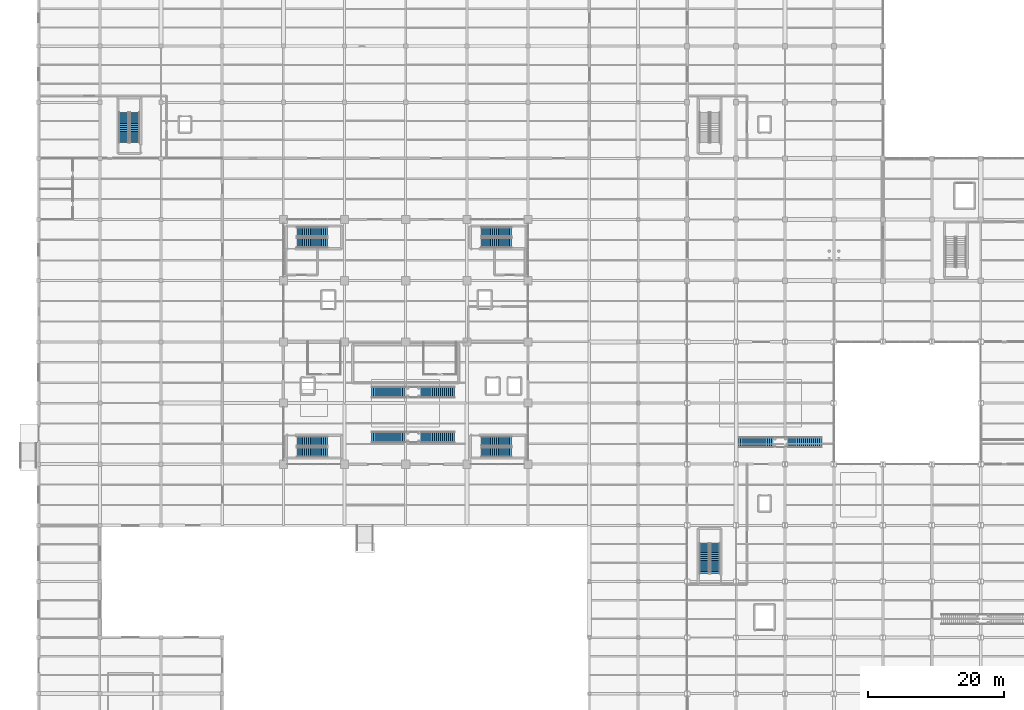
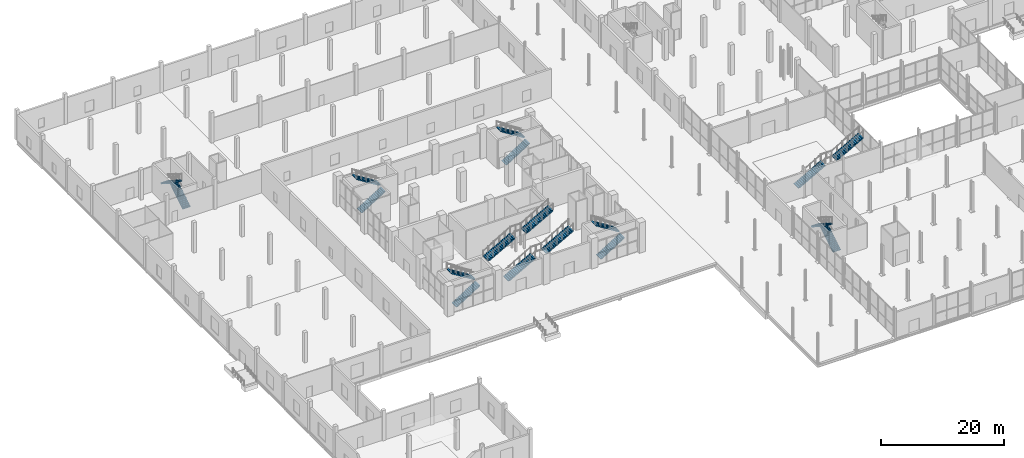
# One storey, part 133 of 144: 18 stair flights, 9 elements without a shape of their own.
"""IFC4 building model written with IfcOpenShell, lengths in metres."""

from ifc_helpers import new_model, si_unit, direction, frame, origin, place, context, subcontext, project, spatial, polyline, outline, extrude, material, type_object, element, aggregate, save


model = new_model("IFC4")

# Units and contexts
model_context = context("Model", 3, precision=1e-05, world=origin(), true_north=direction((0.0, 1.0)))
body_context = subcontext(model_context, "Body", "Model", "MODEL_VIEW")
ifc_project = project(units=[si_unit("LENGTHUNIT", "METRE"), si_unit("AREAUNIT", "SQUARE_METRE"), si_unit("VOLUMEUNIT", "CUBIC_METRE"), si_unit("PLANEANGLEUNIT", "RADIAN"), si_unit("MASSUNIT", "GRAM", prefix="KILO")], contexts=[model_context])

# Site, building, storey
site_placement = place(None, origin())
site = spatial("IfcSite", under=ifc_project, at=site_placement, CompositionType="ELEMENT")
building_placement = place(site_placement, origin())
building = spatial("IfcBuilding", under=site, at=building_placement, Name="Sundgate Opera House", CompositionType="ELEMENT")
storey_placement = place(building_placement, origin())
storey = spatial("IfcBuildingStorey", under=building, at=storey_placement, Name="L00", CompositionType="ELEMENT", Elevation=0.0)

# Stair, stair flights
ifc_material_1 = material(Name="Concrete C35/45", Category="concrete")
stair_type_1 = type_object("IfcStairType", Name="ST-HT-34R-1450", PredefinedType="HALF_TURN_STAIR", material=ifc_material_1)
stair_1_placement = place(storey_placement, origin())
stair_1 = element("IfcStair", 1, at=stair_1_placement, inside=storey, type_object=stair_type_1, Name="L00 Escape Stair ST-01", PredefinedType="HALF_TURN_STAIR")
ifc_material_2 = material(Name="Concrete C35/45", Category="concrete")
stair_flight_type_1 = type_object("IfcStairFlightType", Name="SF-STR-17R-1450", PredefinedType="STRAIGHT", material=ifc_material_2)
stair_flight_1_placement = place(storey_placement, frame((38.0, 43.77490234375, 0.0), z_axis=(0.0, 0.0, 1.0), x_axis=(1.0, 0.0, 0.0)))
stair_flight_1 = element("IfcStairFlight", 2, at=stair_flight_1_placement, type_object=stair_flight_type_1, Name="ST01L00 Flight 1", NumberOfRisers=17, NumberOfTreads=16, PredefinedType="STRAIGHT", RiserHeight=0.176470588, TreadLength=0.28, context=body_context, shape_type="SweptSolid", body=[
    extrude(outline(polyline([(0.0, 0.0), (0.0, 0.176513671875), (0.280029296875, 0.176513671875), (0.280029296875, 0.35302734375), (0.56005859375, 0.35302734375), (0.56005859375, 0.529296875), (0.840087890625, 0.529296875), (0.840087890625, 0.705810546875), (1.1201171875, 0.705810546875), (1.1201171875, 0.88232421875), (1.39990234375, 0.88232421875), (1.39990234375, 1.058837890625), (1.679931640625, 1.058837890625), (1.679931640625, 1.2353515625), (1.9599609375, 1.2353515625), (1.9599609375, 1.411865234375), (2.239990234375, 1.411865234375), (2.239990234375, 1.588134765625), (2.52001953125, 1.588134765625), (2.52001953125, 1.7646484375), (2.800048828125, 1.7646484375), (2.800048828125, 1.941162109375), (3.080078125, 1.941162109375), (3.080078125, 2.11767578125), (3.360107421875, 2.11767578125), (3.360107421875, 2.294189453125), (3.639892578125, 2.294189453125), (3.639892578125, 2.470703125), (3.919921875, 2.470703125), (3.919921875, 2.64697265625), (4.199951171875, 2.64697265625), (4.199951171875, 2.823486328125), (4.47998046875, 2.823486328125), (4.47998046875, 3.0), (4.47998046875, 2.646240234375), (0.28125, 0.0), (0.0, 0.0)])), frame((0.0, 0.72509765625, 0.0), z_axis=(0.0, -1.0, 0.0), x_axis=(1.0, 0.0, 0.0)), (0.0, 0.0, 1.0), 1.449951171875),
])
stair_flight_2_placement = place(storey_placement, frame((42.47998046875, 45.375, 3.0), z_axis=(0.0, 0.0, 1.0), x_axis=(-1.0, 0.0, 0.0)))
stair_flight_2 = element("IfcStairFlight", 3, at=stair_flight_2_placement, type_object=stair_flight_type_1, Name="ST01L00 Flight 2", NumberOfRisers=17, NumberOfTreads=16, PredefinedType="STRAIGHT", RiserHeight=0.176470588, TreadLength=0.28, context=body_context, shape_type="SweptSolid", body=[
    extrude(outline(polyline([(0.0, 0.0), (0.0, 0.176513671875), (0.280029296875, 0.176513671875), (0.280029296875, 0.35302734375), (0.56005859375, 0.35302734375), (0.56005859375, 0.529296875), (0.840087890625, 0.529296875), (0.840087890625, 0.705810546875), (1.1201171875, 0.705810546875), (1.1201171875, 0.88232421875), (1.39990234375, 0.88232421875), (1.39990234375, 1.058837890625), (1.679931640625, 1.058837890625), (1.679931640625, 1.2353515625), (1.9599609375, 1.2353515625), (1.9599609375, 1.411865234375), (2.239990234375, 1.411865234375), (2.239990234375, 1.588134765625), (2.52001953125, 1.588134765625), (2.52001953125, 1.7646484375), (2.800048828125, 1.7646484375), (2.800048828125, 1.941162109375), (3.080078125, 1.941162109375), (3.080078125, 2.11767578125), (3.360107421875, 2.11767578125), (3.360107421875, 2.294189453125), (3.639892578125, 2.294189453125), (3.639892578125, 2.470703125), (3.919921875, 2.470703125), (3.919921875, 2.64697265625), (4.199951171875, 2.64697265625), (4.199951171875, 2.823486328125), (4.47998046875, 2.823486328125), (4.47998046875, 3.0), (4.47998046875, 2.646240234375), (0.28125, 0.0), (0.0, 0.0)])), frame((0.0, 0.72509765625, 0.0), z_axis=(0.0, -1.0, 0.0), x_axis=(1.0, 0.0, 0.0)), (0.0, 0.0, 1.0), 1.449951171875),
])
aggregate(stair_1, [stair_flight_1, stair_flight_2])

stair_2_placement = place(storey_placement, origin())
stair_2 = element("IfcStair", 4, at=stair_2_placement, inside=storey, type_object=stair_type_1, Name="L00 Escape Stair ST-02", PredefinedType="HALF_TURN_STAIR")
stair_flight_3_placement = place(storey_placement, frame((38.0, 74.574951171875, 0.0), z_axis=(0.0, 0.0, 1.0), x_axis=(1.0, 0.0, 0.0)))
stair_flight_3 = element("IfcStairFlight", 5, at=stair_flight_3_placement, type_object=stair_flight_type_1, Name="ST02L00 Flight 1", NumberOfRisers=17, NumberOfTreads=16, PredefinedType="STRAIGHT", RiserHeight=0.176470588, TreadLength=0.28, context=body_context, shape_type="SweptSolid", body=[
    extrude(outline(polyline([(0.0, 0.0), (0.0, 0.176513671875), (0.280029296875, 0.176513671875), (0.280029296875, 0.35302734375), (0.56005859375, 0.35302734375), (0.56005859375, 0.529296875), (0.840087890625, 0.529296875), (0.840087890625, 0.705810546875), (1.1201171875, 0.705810546875), (1.1201171875, 0.88232421875), (1.39990234375, 0.88232421875), (1.39990234375, 1.058837890625), (1.679931640625, 1.058837890625), (1.679931640625, 1.2353515625), (1.9599609375, 1.2353515625), (1.9599609375, 1.411865234375), (2.239990234375, 1.411865234375), (2.239990234375, 1.588134765625), (2.52001953125, 1.588134765625), (2.52001953125, 1.7646484375), (2.800048828125, 1.7646484375), (2.800048828125, 1.941162109375), (3.080078125, 1.941162109375), (3.080078125, 2.11767578125), (3.360107421875, 2.11767578125), (3.360107421875, 2.294189453125), (3.639892578125, 2.294189453125), (3.639892578125, 2.470703125), (3.919921875, 2.470703125), (3.919921875, 2.64697265625), (4.199951171875, 2.64697265625), (4.199951171875, 2.823486328125), (4.47998046875, 2.823486328125), (4.47998046875, 3.0), (4.47998046875, 2.646240234375), (0.28125, 0.0), (0.0, 0.0)])), frame((0.0, 0.72509765625, 0.0), z_axis=(0.0, -1.0, 0.0), x_axis=(1.0, 0.0, 0.0)), (0.0, 0.0, 1.0), 1.449951171875),
])
stair_flight_4_placement = place(storey_placement, frame((42.47998046875, 76.175048828125, 3.0), z_axis=(0.0, 0.0, 1.0), x_axis=(-1.0, 0.0, 0.0)))
stair_flight_4 = element("IfcStairFlight", 6, at=stair_flight_4_placement, type_object=stair_flight_type_1, Name="ST02L00 Flight 2", NumberOfRisers=17, NumberOfTreads=16, PredefinedType="STRAIGHT", RiserHeight=0.176470588, TreadLength=0.28, context=body_context, shape_type="SweptSolid", body=[
    extrude(outline(polyline([(0.0, 0.0), (0.0, 0.176513671875), (0.280029296875, 0.176513671875), (0.280029296875, 0.35302734375), (0.56005859375, 0.35302734375), (0.56005859375, 0.529296875), (0.840087890625, 0.529296875), (0.840087890625, 0.705810546875), (1.1201171875, 0.705810546875), (1.1201171875, 0.88232421875), (1.39990234375, 0.88232421875), (1.39990234375, 1.058837890625), (1.679931640625, 1.058837890625), (1.679931640625, 1.2353515625), (1.9599609375, 1.2353515625), (1.9599609375, 1.411865234375), (2.239990234375, 1.411865234375), (2.239990234375, 1.588134765625), (2.52001953125, 1.588134765625), (2.52001953125, 1.7646484375), (2.800048828125, 1.7646484375), (2.800048828125, 1.941162109375), (3.080078125, 1.941162109375), (3.080078125, 2.11767578125), (3.360107421875, 2.11767578125), (3.360107421875, 2.294189453125), (3.639892578125, 2.294189453125), (3.639892578125, 2.470703125), (3.919921875, 2.470703125), (3.919921875, 2.64697265625), (4.199951171875, 2.64697265625), (4.199951171875, 2.823486328125), (4.47998046875, 2.823486328125), (4.47998046875, 3.0), (4.47998046875, 2.646240234375), (0.28125, 0.0), (0.0, 0.0)])), frame((0.0, 0.72509765625, 0.0), z_axis=(0.0, -1.0, 0.0), x_axis=(1.0, 0.0, 0.0)), (0.0, 0.0, 1.0), 1.449951171875),
])
aggregate(stair_2, [stair_flight_3, stair_flight_4])

stair_3_placement = place(storey_placement, origin())
stair_3 = element("IfcStair", 7, at=stair_3_placement, inside=storey, type_object=stair_type_1, Name="L00 Escape Stair ST-03", PredefinedType="HALF_TURN_STAIR")
stair_flight_5_placement = place(storey_placement, frame((65.10009765625, 43.77490234375, 0.0), z_axis=(0.0, 0.0, 1.0), x_axis=(1.0, 0.0, 0.0)))
stair_flight_5 = element("IfcStairFlight", 8, at=stair_flight_5_placement, type_object=stair_flight_type_1, Name="ST03L00 Flight 1", NumberOfRisers=17, NumberOfTreads=16, PredefinedType="STRAIGHT", RiserHeight=0.176470588, TreadLength=0.28, context=body_context, shape_type="SweptSolid", body=[
    extrude(outline(polyline([(0.0, 0.0), (0.0, 0.176513671875), (0.280029296875, 0.176513671875), (0.280029296875, 0.35302734375), (0.56005859375, 0.35302734375), (0.56005859375, 0.529296875), (0.840087890625, 0.529296875), (0.840087890625, 0.705810546875), (1.1201171875, 0.705810546875), (1.1201171875, 0.88232421875), (1.39990234375, 0.88232421875), (1.39990234375, 1.058837890625), (1.679931640625, 1.058837890625), (1.679931640625, 1.2353515625), (1.9599609375, 1.2353515625), (1.9599609375, 1.411865234375), (2.239990234375, 1.411865234375), (2.239990234375, 1.588134765625), (2.52001953125, 1.588134765625), (2.52001953125, 1.7646484375), (2.800048828125, 1.7646484375), (2.800048828125, 1.941162109375), (3.080078125, 1.941162109375), (3.080078125, 2.11767578125), (3.360107421875, 2.11767578125), (3.360107421875, 2.294189453125), (3.639892578125, 2.294189453125), (3.639892578125, 2.470703125), (3.919921875, 2.470703125), (3.919921875, 2.64697265625), (4.199951171875, 2.64697265625), (4.199951171875, 2.823486328125), (4.47998046875, 2.823486328125), (4.47998046875, 3.0), (4.47998046875, 2.646240234375), (0.28125, 0.0), (0.0, 0.0)])), frame((0.0, 0.72509765625, 0.0), z_axis=(0.0, -1.0, 0.0), x_axis=(1.0, 0.0, 0.0)), (0.0, 0.0, 1.0), 1.449951171875),
])
stair_flight_6_placement = place(storey_placement, frame((69.580078125, 45.375, 3.0), z_axis=(0.0, 0.0, 1.0), x_axis=(-1.0, 0.0, 0.0)))
stair_flight_6 = element("IfcStairFlight", 9, at=stair_flight_6_placement, type_object=stair_flight_type_1, Name="ST03L00 Flight 2", NumberOfRisers=17, NumberOfTreads=16, PredefinedType="STRAIGHT", RiserHeight=0.176470588, TreadLength=0.28, context=body_context, shape_type="SweptSolid", body=[
    extrude(outline(polyline([(0.0, 0.0), (0.0, 0.176513671875), (0.280029296875, 0.176513671875), (0.280029296875, 0.35302734375), (0.56005859375, 0.35302734375), (0.56005859375, 0.529296875), (0.840087890625, 0.529296875), (0.840087890625, 0.705810546875), (1.1201171875, 0.705810546875), (1.1201171875, 0.88232421875), (1.39990234375, 0.88232421875), (1.39990234375, 1.058837890625), (1.679931640625, 1.058837890625), (1.679931640625, 1.2353515625), (1.9599609375, 1.2353515625), (1.9599609375, 1.411865234375), (2.239990234375, 1.411865234375), (2.239990234375, 1.588134765625), (2.52001953125, 1.588134765625), (2.52001953125, 1.7646484375), (2.800048828125, 1.7646484375), (2.800048828125, 1.941162109375), (3.080078125, 1.941162109375), (3.080078125, 2.11767578125), (3.360107421875, 2.11767578125), (3.360107421875, 2.294189453125), (3.639892578125, 2.294189453125), (3.639892578125, 2.470703125), (3.919921875, 2.470703125), (3.919921875, 2.64697265625), (4.199951171875, 2.64697265625), (4.199951171875, 2.823486328125), (4.47998046875, 2.823486328125), (4.47998046875, 3.0), (4.47998046875, 2.646240234375), (0.28125, 0.0), (0.0, 0.0)])), frame((0.0, 0.72509765625, 0.0), z_axis=(0.0, -1.0, 0.0), x_axis=(1.0, 0.0, 0.0)), (0.0, 0.0, 1.0), 1.449951171875),
])
aggregate(stair_3, [stair_flight_5, stair_flight_6])

stair_4_placement = place(storey_placement, origin())
stair_4 = element("IfcStair", 10, at=stair_4_placement, inside=storey, type_object=stair_type_1, Name="L00 Escape Stair ST-04", PredefinedType="HALF_TURN_STAIR")
stair_flight_7_placement = place(storey_placement, frame((65.10009765625, 74.574951171875, 0.0), z_axis=(0.0, 0.0, 1.0), x_axis=(1.0, 0.0, 0.0)))
stair_flight_7 = element("IfcStairFlight", 11, at=stair_flight_7_placement, type_object=stair_flight_type_1, Name="ST04L00 Flight 1", NumberOfRisers=17, NumberOfTreads=16, PredefinedType="STRAIGHT", RiserHeight=0.176470588, TreadLength=0.28, context=body_context, shape_type="SweptSolid", body=[
    extrude(outline(polyline([(0.0, 0.0), (0.0, 0.176513671875), (0.280029296875, 0.176513671875), (0.280029296875, 0.35302734375), (0.56005859375, 0.35302734375), (0.56005859375, 0.529296875), (0.840087890625, 0.529296875), (0.840087890625, 0.705810546875), (1.1201171875, 0.705810546875), (1.1201171875, 0.88232421875), (1.39990234375, 0.88232421875), (1.39990234375, 1.058837890625), (1.679931640625, 1.058837890625), (1.679931640625, 1.2353515625), (1.9599609375, 1.2353515625), (1.9599609375, 1.411865234375), (2.239990234375, 1.411865234375), (2.239990234375, 1.588134765625), (2.52001953125, 1.588134765625), (2.52001953125, 1.7646484375), (2.800048828125, 1.7646484375), (2.800048828125, 1.941162109375), (3.080078125, 1.941162109375), (3.080078125, 2.11767578125), (3.360107421875, 2.11767578125), (3.360107421875, 2.294189453125), (3.639892578125, 2.294189453125), (3.639892578125, 2.470703125), (3.919921875, 2.470703125), (3.919921875, 2.64697265625), (4.199951171875, 2.64697265625), (4.199951171875, 2.823486328125), (4.47998046875, 2.823486328125), (4.47998046875, 3.0), (4.47998046875, 2.646240234375), (0.28125, 0.0), (0.0, 0.0)])), frame((0.0, 0.72509765625, 0.0), z_axis=(0.0, -1.0, 0.0), x_axis=(1.0, 0.0, 0.0)), (0.0, 0.0, 1.0), 1.449951171875),
])
stair_flight_8_placement = place(storey_placement, frame((69.580078125, 76.175048828125, 3.0), z_axis=(0.0, 0.0, 1.0), x_axis=(-1.0, 0.0, 0.0)))
stair_flight_8 = element("IfcStairFlight", 12, at=stair_flight_8_placement, type_object=stair_flight_type_1, Name="ST04L00 Flight 2", NumberOfRisers=17, NumberOfTreads=16, PredefinedType="STRAIGHT", RiserHeight=0.176470588, TreadLength=0.28, context=body_context, shape_type="SweptSolid", body=[
    extrude(outline(polyline([(0.0, 0.0), (0.0, 0.176513671875), (0.280029296875, 0.176513671875), (0.280029296875, 0.35302734375), (0.56005859375, 0.35302734375), (0.56005859375, 0.529296875), (0.840087890625, 0.529296875), (0.840087890625, 0.705810546875), (1.1201171875, 0.705810546875), (1.1201171875, 0.88232421875), (1.39990234375, 0.88232421875), (1.39990234375, 1.058837890625), (1.679931640625, 1.058837890625), (1.679931640625, 1.2353515625), (1.9599609375, 1.2353515625), (1.9599609375, 1.411865234375), (2.239990234375, 1.411865234375), (2.239990234375, 1.588134765625), (2.52001953125, 1.588134765625), (2.52001953125, 1.7646484375), (2.800048828125, 1.7646484375), (2.800048828125, 1.941162109375), (3.080078125, 1.941162109375), (3.080078125, 2.11767578125), (3.360107421875, 2.11767578125), (3.360107421875, 2.294189453125), (3.639892578125, 2.294189453125), (3.639892578125, 2.470703125), (3.919921875, 2.470703125), (3.919921875, 2.64697265625), (4.199951171875, 2.64697265625), (4.199951171875, 2.823486328125), (4.47998046875, 2.823486328125), (4.47998046875, 3.0), (4.47998046875, 2.646240234375), (0.28125, 0.0), (0.0, 0.0)])), frame((0.0, 0.72509765625, 0.0), z_axis=(0.0, -1.0, 0.0), x_axis=(1.0, 0.0, 0.0)), (0.0, 0.0, 1.0), 1.449951171875),
])
aggregate(stair_4, [stair_flight_7, stair_flight_8])

stair_5_placement = place(storey_placement, origin())
stair_5 = element("IfcStair", 13, at=stair_5_placement, inside=storey, type_object=stair_type_1, Name="L00 Escape Stair ST-07", PredefinedType="HALF_TURN_STAIR")
stair_flight_9_placement = place(storey_placement, frame((99.52490234375, 25.89990234375, 0.0), z_axis=(0.0, 0.0, 1.0), x_axis=(0.0, 1.0, 0.0)))
stair_flight_9 = element("IfcStairFlight", 14, at=stair_flight_9_placement, type_object=stair_flight_type_1, Name="ST07L00 Flight 1", NumberOfRisers=17, NumberOfTreads=16, PredefinedType="STRAIGHT", RiserHeight=0.176470588, TreadLength=0.28, context=body_context, shape_type="SweptSolid", body=[
    extrude(outline(polyline([(0.0, 0.0), (0.0, 0.176513671875), (0.280029296875, 0.176513671875), (0.280029296875, 0.35302734375), (0.56005859375, 0.35302734375), (0.56005859375, 0.529296875), (0.840087890625, 0.529296875), (0.840087890625, 0.705810546875), (1.1201171875, 0.705810546875), (1.1201171875, 0.88232421875), (1.39990234375, 0.88232421875), (1.39990234375, 1.058837890625), (1.679931640625, 1.058837890625), (1.679931640625, 1.2353515625), (1.9599609375, 1.2353515625), (1.9599609375, 1.411865234375), (2.239990234375, 1.411865234375), (2.239990234375, 1.588134765625), (2.52001953125, 1.588134765625), (2.52001953125, 1.7646484375), (2.800048828125, 1.7646484375), (2.800048828125, 1.941162109375), (3.080078125, 1.941162109375), (3.080078125, 2.11767578125), (3.360107421875, 2.11767578125), (3.360107421875, 2.294189453125), (3.639892578125, 2.294189453125), (3.639892578125, 2.470703125), (3.919921875, 2.470703125), (3.919921875, 2.64697265625), (4.199951171875, 2.64697265625), (4.199951171875, 2.823486328125), (4.47998046875, 2.823486328125), (4.47998046875, 3.0), (4.47998046875, 2.646240234375), (0.28125, 0.0), (0.0, 0.0)])), frame((0.0, 0.72509765625, 0.0), z_axis=(0.0, -1.0, 0.0), x_axis=(1.0, 0.0, 0.0)), (0.0, 0.0, 1.0), 1.449951171875),
])
stair_flight_10_placement = place(storey_placement, frame((97.925048828125, 30.3798828125, 3.0), z_axis=(0.0, 0.0, 1.0), x_axis=(0.0, -1.0, 0.0)))
stair_flight_10 = element("IfcStairFlight", 15, at=stair_flight_10_placement, type_object=stair_flight_type_1, Name="ST07L00 Flight 2", NumberOfRisers=17, NumberOfTreads=16, PredefinedType="STRAIGHT", RiserHeight=0.176470588, TreadLength=0.28, context=body_context, shape_type="SweptSolid", body=[
    extrude(outline(polyline([(0.0, 0.0), (0.0, 0.176513671875), (0.280029296875, 0.176513671875), (0.280029296875, 0.35302734375), (0.56005859375, 0.35302734375), (0.56005859375, 0.529296875), (0.840087890625, 0.529296875), (0.840087890625, 0.705810546875), (1.1201171875, 0.705810546875), (1.1201171875, 0.88232421875), (1.39990234375, 0.88232421875), (1.39990234375, 1.058837890625), (1.679931640625, 1.058837890625), (1.679931640625, 1.2353515625), (1.9599609375, 1.2353515625), (1.9599609375, 1.411865234375), (2.239990234375, 1.411865234375), (2.239990234375, 1.588134765625), (2.52001953125, 1.588134765625), (2.52001953125, 1.7646484375), (2.800048828125, 1.7646484375), (2.800048828125, 1.941162109375), (3.080078125, 1.941162109375), (3.080078125, 2.11767578125), (3.360107421875, 2.11767578125), (3.360107421875, 2.294189453125), (3.639892578125, 2.294189453125), (3.639892578125, 2.470703125), (3.919921875, 2.470703125), (3.919921875, 2.64697265625), (4.199951171875, 2.64697265625), (4.199951171875, 2.823486328125), (4.47998046875, 2.823486328125), (4.47998046875, 3.0), (4.47998046875, 2.646240234375), (0.28125, 0.0), (0.0, 0.0)])), frame((0.0, 0.72509765625, 0.0), z_axis=(0.0, -1.0, 0.0), x_axis=(1.0, 0.0, 0.0)), (0.0, 0.0, 1.0), 1.449951171875),
])
aggregate(stair_5, [stair_flight_9, stair_flight_10])

stair_6_placement = place(storey_placement, origin())
stair_6 = element("IfcStair", 16, at=stair_6_placement, inside=storey, type_object=stair_type_1, Name="L00 Escape Stair ST-08", PredefinedType="HALF_TURN_STAIR")
stair_flight_11_placement = place(storey_placement, frame((14.125, 89.300048828125, 0.0), z_axis=(0.0, 0.0, 1.0), x_axis=(0.0, 1.0, 0.0)))
stair_flight_11 = element("IfcStairFlight", 17, at=stair_flight_11_placement, type_object=stair_flight_type_1, Name="ST08L00 Flight 1", NumberOfRisers=17, NumberOfTreads=16, PredefinedType="STRAIGHT", RiserHeight=0.176470588, TreadLength=0.28, context=body_context, shape_type="SweptSolid", body=[
    extrude(outline(polyline([(0.0, 0.0), (0.0, 0.176513671875), (0.280029296875, 0.176513671875), (0.280029296875, 0.35302734375), (0.56005859375, 0.35302734375), (0.56005859375, 0.529296875), (0.840087890625, 0.529296875), (0.840087890625, 0.705810546875), (1.1201171875, 0.705810546875), (1.1201171875, 0.88232421875), (1.39990234375, 0.88232421875), (1.39990234375, 1.058837890625), (1.679931640625, 1.058837890625), (1.679931640625, 1.2353515625), (1.9599609375, 1.2353515625), (1.9599609375, 1.411865234375), (2.239990234375, 1.411865234375), (2.239990234375, 1.588134765625), (2.52001953125, 1.588134765625), (2.52001953125, 1.7646484375), (2.800048828125, 1.7646484375), (2.800048828125, 1.941162109375), (3.080078125, 1.941162109375), (3.080078125, 2.11767578125), (3.360107421875, 2.11767578125), (3.360107421875, 2.294189453125), (3.639892578125, 2.294189453125), (3.639892578125, 2.470703125), (3.919921875, 2.470703125), (3.919921875, 2.64697265625), (4.199951171875, 2.64697265625), (4.199951171875, 2.823486328125), (4.47998046875, 2.823486328125), (4.47998046875, 3.0), (4.47998046875, 2.646240234375), (0.28125, 0.0), (0.0, 0.0)])), frame((0.0, 0.72509765625, 0.0), z_axis=(0.0, -1.0, 0.0), x_axis=(1.0, 0.0, 0.0)), (0.0, 0.0, 1.0), 1.449951171875),
])
stair_flight_12_placement = place(storey_placement, frame((12.52490234375, 93.780029296875, 3.0), z_axis=(0.0, 0.0, 1.0), x_axis=(0.0, -1.0, 0.0)))
stair_flight_12 = element("IfcStairFlight", 18, at=stair_flight_12_placement, type_object=stair_flight_type_1, Name="ST08L00 Flight 2", NumberOfRisers=17, NumberOfTreads=16, PredefinedType="STRAIGHT", RiserHeight=0.176470588, TreadLength=0.28, context=body_context, shape_type="SweptSolid", body=[
    extrude(outline(polyline([(0.0, 0.0), (0.0, 0.176513671875), (0.280029296875, 0.176513671875), (0.280029296875, 0.35302734375), (0.56005859375, 0.35302734375), (0.56005859375, 0.529296875), (0.840087890625, 0.529296875), (0.840087890625, 0.705810546875), (1.1201171875, 0.705810546875), (1.1201171875, 0.88232421875), (1.39990234375, 0.88232421875), (1.39990234375, 1.058837890625), (1.679931640625, 1.058837890625), (1.679931640625, 1.2353515625), (1.9599609375, 1.2353515625), (1.9599609375, 1.411865234375), (2.239990234375, 1.411865234375), (2.239990234375, 1.588134765625), (2.52001953125, 1.588134765625), (2.52001953125, 1.7646484375), (2.800048828125, 1.7646484375), (2.800048828125, 1.941162109375), (3.080078125, 1.941162109375), (3.080078125, 2.11767578125), (3.360107421875, 2.11767578125), (3.360107421875, 2.294189453125), (3.639892578125, 2.294189453125), (3.639892578125, 2.470703125), (3.919921875, 2.470703125), (3.919921875, 2.64697265625), (4.199951171875, 2.64697265625), (4.199951171875, 2.823486328125), (4.47998046875, 2.823486328125), (4.47998046875, 3.0), (4.47998046875, 2.646240234375), (0.28125, 0.0), (0.0, 0.0)])), frame((0.0, 0.72509765625, 0.0), z_axis=(0.0, -1.0, 0.0), x_axis=(1.0, 0.0, 0.0)), (0.0, 0.0, 1.0), 1.449951171875),
])
aggregate(stair_6, [stair_flight_11, stair_flight_12])

ifc_material_3 = material(Name="Concrete C35/45", Category="concrete")
stair_type_2 = type_object("IfcStairType", Name="ST-SR-36R-1500", PredefinedType="STRAIGHT_RUN_STAIR", material=ifc_material_3)
stair_7_placement = place(storey_placement, origin())
stair_7 = element("IfcStair", 19, at=stair_7_placement, inside=storey, type_object=stair_type_2, Name="Chamber Studio Gallery Straight Stair", PredefinedType="STRAIGHT_RUN_STAIR")
ifc_material_4 = material(Name="Concrete C35/45", Category="concrete")
stair_flight_type_2 = type_object("IfcStairFlightType", Name="SF-STR-18R-1500", PredefinedType="STRAIGHT", material=ifc_material_4)
stair_flight_13_placement = place(storey_placement, frame((102.989990234375, 45.199951171875, 0.0), z_axis=(0.0, 0.0, 1.0), x_axis=(1.0, 0.0, 0.0)))
stair_flight_13 = element("IfcStairFlight", 20, at=stair_flight_13_placement, type_object=stair_flight_type_2, Name="Chamber Studio Gallery Straight Stair Flight 1", NumberOfRisers=18, NumberOfTreads=17, PredefinedType="STRAIGHT", RiserHeight=0.166666667, TreadLength=0.3, context=body_context, shape_type="SweptSolid", body=[
    extrude(outline(polyline([(0.0, 0.0), (0.0, 0.166748046875), (0.300048828125, 0.166748046875), (0.300048828125, 0.333251953125), (0.60009765625, 0.333251953125), (0.60009765625, 0.5), (0.89990234375, 0.5), (0.89990234375, 0.666748046875), (1.199951171875, 0.666748046875), (1.199951171875, 0.833251953125), (1.5, 0.833251953125), (1.5, 1.0), (1.800048828125, 1.0), (1.800048828125, 1.166748046875), (2.10009765625, 1.166748046875), (2.10009765625, 1.333251953125), (2.39990234375, 1.333251953125), (2.39990234375, 1.5), (2.699951171875, 1.5), (2.699951171875, 1.666748046875), (3.0, 1.666748046875), (3.0, 1.833251953125), (3.300048828125, 1.833251953125), (3.300048828125, 2.0), (3.60009765625, 2.0), (3.60009765625, 2.166748046875), (3.89990234375, 2.166748046875), (3.89990234375, 2.333251953125), (4.199951171875, 2.333251953125), (4.199951171875, 2.5), (4.5, 2.5), (4.5, 2.666748046875), (4.800048828125, 2.666748046875), (4.800048828125, 2.833251953125), (5.10009765625, 2.833251953125), (5.10009765625, 3.0), (5.10009765625, 2.62744140625), (0.37060546875, 0.0), (0.0, 0.0)])), frame((0.0, 0.75, 0.0), z_axis=(0.0, -1.0, 0.0), x_axis=(1.0, 0.0, 0.0)), (0.0, 0.0, 1.0), 1.5),
])
stair_flight_14_placement = place(storey_placement, frame((110.10791015625, 45.199951171875, 3.0), z_axis=(0.0, 0.0, 1.0), x_axis=(1.0, 0.0, 0.0)))
stair_flight_14 = element("IfcStairFlight", 21, at=stair_flight_14_placement, type_object=stair_flight_type_2, Name="Chamber Studio Gallery Straight Stair Flight 2", NumberOfRisers=18, NumberOfTreads=17, PredefinedType="STRAIGHT", RiserHeight=0.166666667, TreadLength=0.3, context=body_context, shape_type="SweptSolid", body=[
    extrude(outline(polyline([(0.0, 0.0), (0.0, 0.166748046875), (0.300048828125, 0.166748046875), (0.300048828125, 0.333251953125), (0.60009765625, 0.333251953125), (0.60009765625, 0.5), (0.89990234375, 0.5), (0.89990234375, 0.666748046875), (1.199951171875, 0.666748046875), (1.199951171875, 0.833251953125), (1.5, 0.833251953125), (1.5, 1.0), (1.800048828125, 1.0), (1.800048828125, 1.166748046875), (2.10009765625, 1.166748046875), (2.10009765625, 1.333251953125), (2.39990234375, 1.333251953125), (2.39990234375, 1.5), (2.699951171875, 1.5), (2.699951171875, 1.666748046875), (3.0, 1.666748046875), (3.0, 1.833251953125), (3.300048828125, 1.833251953125), (3.300048828125, 2.0), (3.60009765625, 2.0), (3.60009765625, 2.166748046875), (3.89990234375, 2.166748046875), (3.89990234375, 2.333251953125), (4.199951171875, 2.333251953125), (4.199951171875, 2.5), (4.5, 2.5), (4.5, 2.666748046875), (4.800048828125, 2.666748046875), (4.800048828125, 2.833251953125), (5.10009765625, 2.833251953125), (5.10009765625, 3.0), (5.10009765625, 2.62744140625), (0.37060546875, 0.0), (0.0, 0.0)])), frame((0.0, 0.75, 0.0), z_axis=(0.0, -1.0, 0.0), x_axis=(1.0, 0.0, 0.0)), (0.0, 0.0, 1.0), 1.5),
])
aggregate(stair_7, [stair_flight_13, stair_flight_14])

ifc_material_5 = material(Name="Concrete C35/45", Category="concrete")
stair_type_3 = type_object("IfcStairType", Name="ST-SR-36R-1600", PredefinedType="STRAIGHT_RUN_STAIR", material=ifc_material_5)
stair_8_placement = place(storey_placement, origin())
stair_8 = element("IfcStair", 22, at=stair_8_placement, inside=storey, type_object=stair_type_3, Name="Grand Foyer South Monumental Stair", PredefinedType="STRAIGHT_RUN_STAIR")
ifc_material_6 = material(Name="Concrete C35/45", Category="concrete")
stair_flight_type_3 = type_object("IfcStairFlightType", Name="SF-STR-18R-1600", PredefinedType="STRAIGHT", material=ifc_material_6)
stair_flight_15_placement = place(storey_placement, frame((48.989990234375, 46.0, 0.0), z_axis=(0.0, 0.0, 1.0), x_axis=(1.0, 0.0, 0.0)))
stair_flight_15 = element("IfcStairFlight", 23, at=stair_flight_15_placement, type_object=stair_flight_type_3, Name="Grand Foyer South Monumental Stair Flight 1", NumberOfRisers=18, NumberOfTreads=17, PredefinedType="STRAIGHT", RiserHeight=0.166666667, TreadLength=0.3, context=body_context, shape_type="SweptSolid", body=[
    extrude(outline(polyline([(0.0, 0.0), (0.0, 0.166748046875), (0.300048828125, 0.166748046875), (0.300048828125, 0.333251953125), (0.60009765625, 0.333251953125), (0.60009765625, 0.5), (0.89990234375, 0.5), (0.89990234375, 0.666748046875), (1.199951171875, 0.666748046875), (1.199951171875, 0.833251953125), (1.5, 0.833251953125), (1.5, 1.0), (1.800048828125, 1.0), (1.800048828125, 1.166748046875), (2.10009765625, 1.166748046875), (2.10009765625, 1.333251953125), (2.39990234375, 1.333251953125), (2.39990234375, 1.5), (2.699951171875, 1.5), (2.699951171875, 1.666748046875), (3.0, 1.666748046875), (3.0, 1.833251953125), (3.300048828125, 1.833251953125), (3.300048828125, 2.0), (3.60009765625, 2.0), (3.60009765625, 2.166748046875), (3.89990234375, 2.166748046875), (3.89990234375, 2.333251953125), (4.199951171875, 2.333251953125), (4.199951171875, 2.5), (4.5, 2.5), (4.5, 2.666748046875), (4.800048828125, 2.666748046875), (4.800048828125, 2.833251953125), (5.10009765625, 2.833251953125), (5.10009765625, 3.0), (5.10009765625, 2.62744140625), (0.37060546875, 0.0), (0.0, 0.0)])), frame((0.0, 0.800048828125, 0.0), z_axis=(0.0, -1.0, 0.0), x_axis=(1.0, 0.0, 0.0)), (0.0, 0.0, 1.0), 1.60009765625),
])
stair_flight_16_placement = place(storey_placement, frame((56.10791015625, 46.0, 3.0), z_axis=(0.0, 0.0, 1.0), x_axis=(1.0, 0.0, 0.0)))
stair_flight_16 = element("IfcStairFlight", 24, at=stair_flight_16_placement, type_object=stair_flight_type_3, Name="Grand Foyer South Monumental Stair Flight 2", NumberOfRisers=18, NumberOfTreads=17, PredefinedType="STRAIGHT", RiserHeight=0.166666667, TreadLength=0.3, context=body_context, shape_type="SweptSolid", body=[
    extrude(outline(polyline([(0.0, 0.0), (0.0, 0.166748046875), (0.300048828125, 0.166748046875), (0.300048828125, 0.333251953125), (0.60009765625, 0.333251953125), (0.60009765625, 0.5), (0.89990234375, 0.5), (0.89990234375, 0.666748046875), (1.199951171875, 0.666748046875), (1.199951171875, 0.833251953125), (1.5, 0.833251953125), (1.5, 1.0), (1.800048828125, 1.0), (1.800048828125, 1.166748046875), (2.10009765625, 1.166748046875), (2.10009765625, 1.333251953125), (2.39990234375, 1.333251953125), (2.39990234375, 1.5), (2.699951171875, 1.5), (2.699951171875, 1.666748046875), (3.0, 1.666748046875), (3.0, 1.833251953125), (3.300048828125, 1.833251953125), (3.300048828125, 2.0), (3.60009765625, 2.0), (3.60009765625, 2.166748046875), (3.89990234375, 2.166748046875), (3.89990234375, 2.333251953125), (4.199951171875, 2.333251953125), (4.199951171875, 2.5), (4.5, 2.5), (4.5, 2.666748046875), (4.800048828125, 2.666748046875), (4.800048828125, 2.833251953125), (5.10009765625, 2.833251953125), (5.10009765625, 3.0), (5.10009765625, 2.62744140625), (0.37060546875, 0.0), (0.0, 0.0)])), frame((0.0, 0.800048828125, 0.0), z_axis=(0.0, -1.0, 0.0), x_axis=(1.0, 0.0, 0.0)), (0.0, 0.0, 1.0), 1.60009765625),
])
aggregate(stair_8, [stair_flight_15, stair_flight_16])

stair_9_placement = place(storey_placement, origin())
stair_9 = element("IfcStair", 25, at=stair_9_placement, inside=storey, type_object=stair_type_3, Name="Grand Foyer North Monumental Stair", PredefinedType="STRAIGHT_RUN_STAIR")
stair_flight_17_placement = place(storey_placement, frame((48.989990234375, 52.60009765625, 0.0), z_axis=(0.0, 0.0, 1.0), x_axis=(1.0, 0.0, 0.0)))
stair_flight_17 = element("IfcStairFlight", 26, at=stair_flight_17_placement, type_object=stair_flight_type_3, Name="Grand Foyer North Monumental Stair Flight 1", NumberOfRisers=18, NumberOfTreads=17, PredefinedType="STRAIGHT", RiserHeight=0.166666667, TreadLength=0.3, context=body_context, shape_type="SweptSolid", body=[
    extrude(outline(polyline([(0.0, 0.0), (0.0, 0.166748046875), (0.300048828125, 0.166748046875), (0.300048828125, 0.333251953125), (0.60009765625, 0.333251953125), (0.60009765625, 0.5), (0.89990234375, 0.5), (0.89990234375, 0.666748046875), (1.199951171875, 0.666748046875), (1.199951171875, 0.833251953125), (1.5, 0.833251953125), (1.5, 1.0), (1.800048828125, 1.0), (1.800048828125, 1.166748046875), (2.10009765625, 1.166748046875), (2.10009765625, 1.333251953125), (2.39990234375, 1.333251953125), (2.39990234375, 1.5), (2.699951171875, 1.5), (2.699951171875, 1.666748046875), (3.0, 1.666748046875), (3.0, 1.833251953125), (3.300048828125, 1.833251953125), (3.300048828125, 2.0), (3.60009765625, 2.0), (3.60009765625, 2.166748046875), (3.89990234375, 2.166748046875), (3.89990234375, 2.333251953125), (4.199951171875, 2.333251953125), (4.199951171875, 2.5), (4.5, 2.5), (4.5, 2.666748046875), (4.800048828125, 2.666748046875), (4.800048828125, 2.833251953125), (5.10009765625, 2.833251953125), (5.10009765625, 3.0), (5.10009765625, 2.62744140625), (0.37060546875, 0.0), (0.0, 0.0)])), frame((0.0, 0.800048828125, 0.0), z_axis=(0.0, -1.0, 0.0), x_axis=(1.0, 0.0, 0.0)), (0.0, 0.0, 1.0), 1.60009765625),
])
stair_flight_18_placement = place(storey_placement, frame((56.10791015625, 52.60009765625, 3.0), z_axis=(0.0, 0.0, 1.0), x_axis=(1.0, 0.0, 0.0)))
stair_flight_18 = element("IfcStairFlight", 27, at=stair_flight_18_placement, type_object=stair_flight_type_3, Name="Grand Foyer North Monumental Stair Flight 2", NumberOfRisers=18, NumberOfTreads=17, PredefinedType="STRAIGHT", RiserHeight=0.166666667, TreadLength=0.3, context=body_context, shape_type="SweptSolid", body=[
    extrude(outline(polyline([(0.0, 0.0), (0.0, 0.166748046875), (0.300048828125, 0.166748046875), (0.300048828125, 0.333251953125), (0.60009765625, 0.333251953125), (0.60009765625, 0.5), (0.89990234375, 0.5), (0.89990234375, 0.666748046875), (1.199951171875, 0.666748046875), (1.199951171875, 0.833251953125), (1.5, 0.833251953125), (1.5, 1.0), (1.800048828125, 1.0), (1.800048828125, 1.166748046875), (2.10009765625, 1.166748046875), (2.10009765625, 1.333251953125), (2.39990234375, 1.333251953125), (2.39990234375, 1.5), (2.699951171875, 1.5), (2.699951171875, 1.666748046875), (3.0, 1.666748046875), (3.0, 1.833251953125), (3.300048828125, 1.833251953125), (3.300048828125, 2.0), (3.60009765625, 2.0), (3.60009765625, 2.166748046875), (3.89990234375, 2.166748046875), (3.89990234375, 2.333251953125), (4.199951171875, 2.333251953125), (4.199951171875, 2.5), (4.5, 2.5), (4.5, 2.666748046875), (4.800048828125, 2.666748046875), (4.800048828125, 2.833251953125), (5.10009765625, 2.833251953125), (5.10009765625, 3.0), (5.10009765625, 2.62744140625), (0.37060546875, 0.0), (0.0, 0.0)])), frame((0.0, 0.800048828125, 0.0), z_axis=(0.0, -1.0, 0.0), x_axis=(1.0, 0.0, 0.0)), (0.0, 0.0, 1.0), 1.60009765625),
])
aggregate(stair_9, [stair_flight_17, stair_flight_18])

save(model, "model.ifc")
